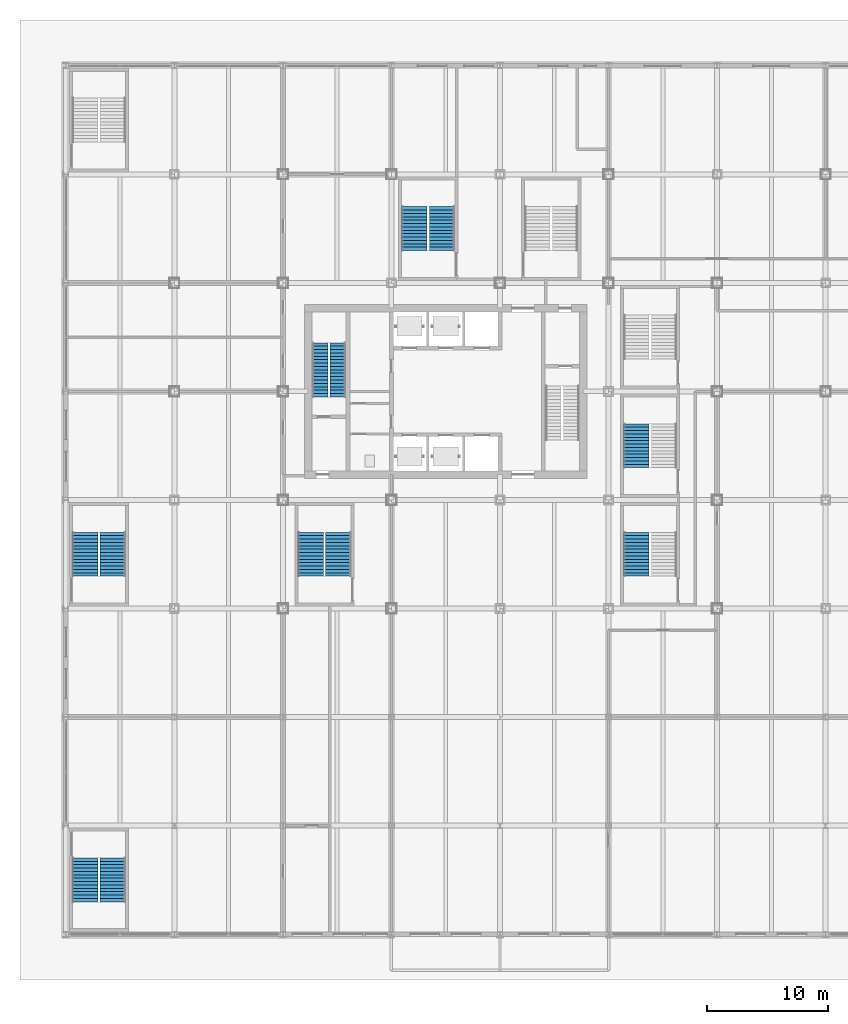
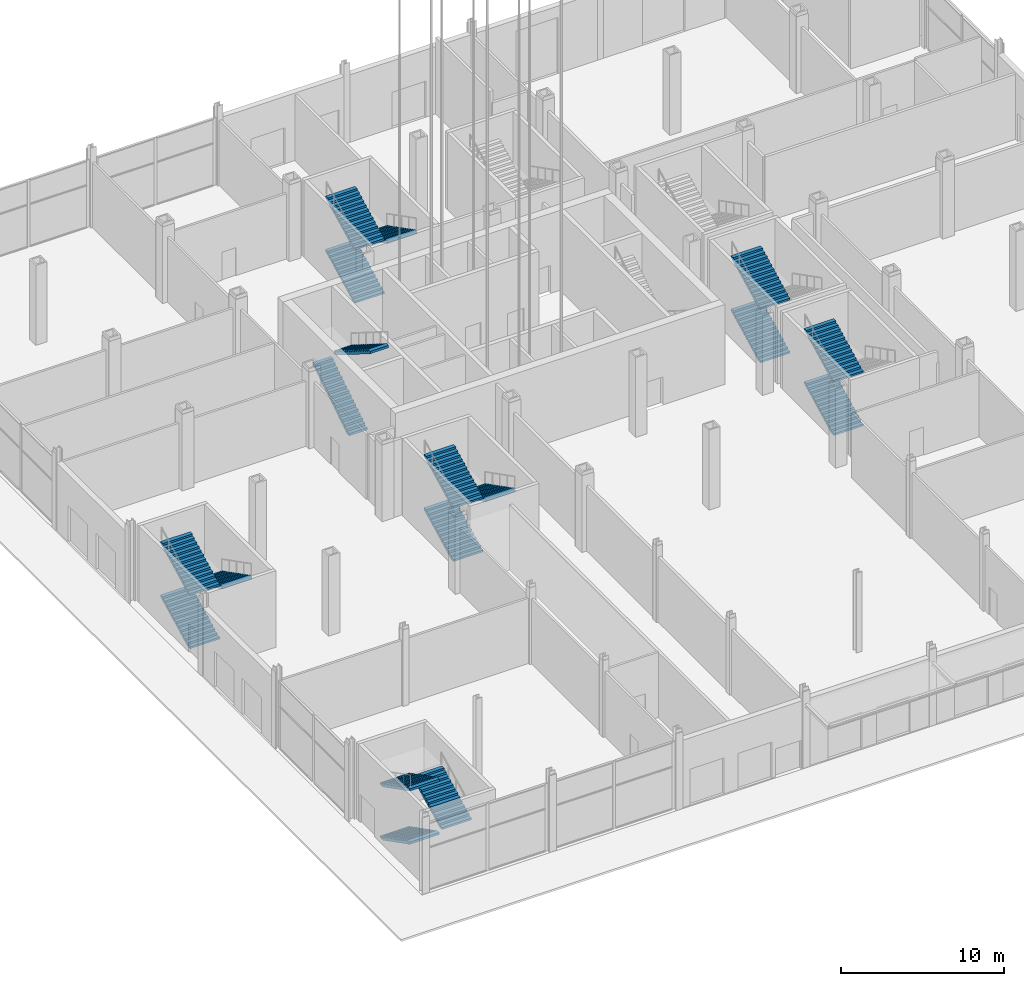
# One storey, part 23 of 34: 18 stair flights, 7 elements without a shape of their own.
"""IFC4 building model written with IfcOpenShell, lengths in metres."""

from ifc_helpers import new_model, si_unit, direction, frame, origin, place, context, subcontext, project, spatial, polyline, outline, extrude, material, type_object, element, aggregate, save


model = new_model("IFC4")

# Units and contexts
model_context = context("Model", 3, precision=1e-05, world=origin(), true_north=direction((0.0, 1.0)))
body_context = subcontext(model_context, "Body", "Model", "MODEL_VIEW")
ifc_project = project(units=[si_unit("LENGTHUNIT", "METRE"), si_unit("AREAUNIT", "SQUARE_METRE"), si_unit("VOLUMEUNIT", "CUBIC_METRE"), si_unit("PLANEANGLEUNIT", "RADIAN"), si_unit("MASSUNIT", "GRAM", prefix="KILO")], contexts=[model_context])

# Site, building, storey
site_placement = place(None, origin())
site = spatial("IfcSite", under=ifc_project, at=site_placement, CompositionType="ELEMENT")
building_placement = place(site_placement, origin())
building = spatial("IfcBuilding", under=site, at=building_placement, Name="Loomwork Tower", CompositionType="ELEMENT")
storey_placement = place(building_placement, origin())
storey = spatial("IfcBuildingStorey", under=building, at=storey_placement, Name="L00", CompositionType="ELEMENT", Elevation=0.0)

# Stair, stair flights
ifc_material_1 = material(Name="Concrete 5000 psi (34 MPa) precast stair", Category="concrete")
stair_type_1 = type_object("IfcStairType", Name="Stair ST-A 34 risers 2850 wide", PredefinedType="HALF_TURN_STAIR", material=ifc_material_1)
stair_1_placement = place(storey_placement, origin())
stair_1 = element("IfcStair", 1, at=stair_1_placement, inside=storey, type_object=stair_type_1, Name="Stair A L00", PredefinedType="HALF_TURN_STAIR")
ifc_material_2 = material(Name="Concrete 5000 psi (34 MPa) precast stair", Category="concrete")
stair_flight_type_1 = type_object("IfcStairFlightType", Name="Stair flight ST-A 17 risers 1300 wide", PredefinedType="STRAIGHT", material=ifc_material_2)
stair_flight_1_placement = place(storey_placement, frame((12.074951171875, 17.550048828125, 0.0), z_axis=(0.0, 0.0, 1.0), x_axis=(0.0, 1.0, 0.0)))
stair_flight_1 = element("IfcStairFlight", 2, at=stair_flight_1_placement, type_object=stair_flight_type_1, Name="ST-A flight 1", NumberOfRisers=17, NumberOfTreads=16, PredefinedType="STRAIGHT", RiserHeight=0.176470588, TreadLength=0.28, context=body_context, shape_type="SweptSolid", body=[
    extrude(outline(polyline([(0.0, 0.0), (0.0, 0.176513671875), (0.280029296875, 0.176513671875), (0.280029296875, 0.35302734375), (0.56005859375, 0.35302734375), (0.56005859375, 0.529296875), (0.840087890625, 0.529296875), (0.840087890625, 0.705810546875), (1.1201171875, 0.705810546875), (1.1201171875, 0.88232421875), (1.39990234375, 0.88232421875), (1.39990234375, 1.058837890625), (1.679931640625, 1.058837890625), (1.679931640625, 1.2353515625), (1.9599609375, 1.2353515625), (1.9599609375, 1.411865234375), (2.239990234375, 1.411865234375), (2.239990234375, 1.588134765625), (2.52001953125, 1.588134765625), (2.52001953125, 1.7646484375), (2.800048828125, 1.7646484375), (2.800048828125, 1.941162109375), (3.080078125, 1.941162109375), (3.080078125, 2.11767578125), (3.360107421875, 2.11767578125), (3.360107421875, 2.294189453125), (3.639892578125, 2.294189453125), (3.639892578125, 2.470703125), (3.919921875, 2.470703125), (3.919921875, 2.64697265625), (4.199951171875, 2.64697265625), (4.199951171875, 2.823486328125), (4.47998046875, 2.823486328125), (4.47998046875, 3.0), (4.47998046875, 2.646240234375), (0.28125, 0.0), (0.0, 0.0)])), frame((0.0, 0.64990234375, 0.0), z_axis=(0.0, -1.0, 0.0), x_axis=(1.0, 0.0, 0.0)), (0.0, 0.0, 1.0), 1.300048828125),
])
stair_flight_2_placement = place(storey_placement, frame((13.574951171875, 22.030029296875, 3.0), z_axis=(0.0, 0.0, 1.0), x_axis=(0.0, -1.0, 0.0)))
stair_flight_2 = element("IfcStairFlight", 3, at=stair_flight_2_placement, type_object=stair_flight_type_1, Name="ST-A flight 2", NumberOfRisers=17, NumberOfTreads=16, PredefinedType="STRAIGHT", RiserHeight=0.176470588, TreadLength=0.28, context=body_context, shape_type="SweptSolid", body=[
    extrude(outline(polyline([(0.0, 0.0), (0.0, 0.176513671875), (0.280029296875, 0.176513671875), (0.280029296875, 0.35302734375), (0.56005859375, 0.35302734375), (0.56005859375, 0.529296875), (0.840087890625, 0.529296875), (0.840087890625, 0.705810546875), (1.1201171875, 0.705810546875), (1.1201171875, 0.88232421875), (1.39990234375, 0.88232421875), (1.39990234375, 1.058837890625), (1.679931640625, 1.058837890625), (1.679931640625, 1.2353515625), (1.9599609375, 1.2353515625), (1.9599609375, 1.411865234375), (2.239990234375, 1.411865234375), (2.239990234375, 1.588134765625), (2.52001953125, 1.588134765625), (2.52001953125, 1.7646484375), (2.800048828125, 1.7646484375), (2.800048828125, 1.941162109375), (3.080078125, 1.941162109375), (3.080078125, 2.11767578125), (3.360107421875, 2.11767578125), (3.360107421875, 2.294189453125), (3.639892578125, 2.294189453125), (3.639892578125, 2.470703125), (3.919921875, 2.470703125), (3.919921875, 2.64697265625), (4.199951171875, 2.64697265625), (4.199951171875, 2.823486328125), (4.47998046875, 2.823486328125), (4.47998046875, 3.0), (4.47998046875, 2.646240234375), (0.28125, 0.0), (0.0, 0.0)])), frame((0.0, 0.64990234375, 0.0), z_axis=(0.0, -1.0, 0.0), x_axis=(1.0, 0.0, 0.0)), (0.0, 0.0, 1.0), 1.300048828125),
])
aggregate(stair_1, [stair_flight_1, stair_flight_2])

ifc_material_3 = material(Name="Concrete 5000 psi (34 MPa) precast stair", Category="concrete")
stair_type_2 = type_object("IfcStairType", Name="Stair ST-S10P 42 risers of 143 4400 wide", PredefinedType="HALF_TURN_STAIR", material=ifc_material_3)
stair_2_placement = place(storey_placement, origin())
stair_2 = element("IfcStair", 4, at=stair_2_placement, inside=storey, type_object=stair_type_2, Name="Podium stair PS10 L00", PredefinedType="HALF_TURN_STAIR")
ifc_material_4 = material(Name="Concrete 5000 psi (34 MPa) precast stair", Category="concrete")
stair_flight_type_2 = type_object("IfcStairFlightType", Name="Stair flight ST-S10P 14 risers of 143 2100 wide", PredefinedType="STRAIGHT", material=ifc_material_4)
stair_flight_3_placement = place(storey_placement, frame((19.89990234375, 29.679931640625, 0.0), z_axis=(0.0, 0.0, 1.0), x_axis=(0.0, 1.0, 0.0)))
stair_flight_3 = element("IfcStairFlight", 5, at=stair_flight_3_placement, type_object=stair_flight_type_2, Name="ST-S10P flight 1", NumberOfRisers=14, NumberOfTreads=13, PredefinedType="STRAIGHT", RiserHeight=0.142857143, TreadLength=0.28, context=body_context, shape_type="SweptSolid", body=[
    extrude(outline(polyline([(0.0, 0.0), (0.0, 0.142822265625), (0.280029296875, 0.142822265625), (0.280029296875, 0.28564453125), (0.56005859375, 0.28564453125), (0.56005859375, 0.428466796875), (0.840087890625, 0.428466796875), (0.840087890625, 0.571533203125), (1.1201171875, 0.571533203125), (1.1201171875, 0.71435546875), (1.39990234375, 0.71435546875), (1.39990234375, 0.857177734375), (1.679931640625, 0.857177734375), (1.679931640625, 1.0), (1.9599609375, 1.0), (1.9599609375, 1.142822265625), (2.239990234375, 1.142822265625), (2.239990234375, 1.28564453125), (2.52001953125, 1.28564453125), (2.52001953125, 1.428466796875), (2.800048828125, 1.428466796875), (2.800048828125, 1.571533203125), (3.080078125, 1.571533203125), (3.080078125, 1.71435546875), (3.360107421875, 1.71435546875), (3.360107421875, 1.857177734375), (3.639892578125, 1.857177734375), (3.639892578125, 2.0), (3.639892578125, 1.68896484375), (0.329833984375, 0.0), (0.0, 0.0)])), frame((0.0, 1.050048828125, 0.0), z_axis=(0.0, -1.0, 0.0), x_axis=(1.0, 0.0, 0.0)), (0.0, 0.0, 1.0), 2.10009765625),
])
stair_flight_4_placement = place(storey_placement, frame((22.199951171875, 33.320068359375, 2.0), z_axis=(0.0, 0.0, 1.0), x_axis=(0.0, -1.0, 0.0)))
stair_flight_4 = element("IfcStairFlight", 6, at=stair_flight_4_placement, type_object=stair_flight_type_2, Name="ST-S10P flight 2", NumberOfRisers=14, NumberOfTreads=13, PredefinedType="STRAIGHT", RiserHeight=0.142857143, TreadLength=0.28, context=body_context, shape_type="SweptSolid", body=[
    extrude(outline(polyline([(0.0, 0.0), (0.0, 0.142822265625), (0.280029296875, 0.142822265625), (0.280029296875, 0.28564453125), (0.56005859375, 0.28564453125), (0.56005859375, 0.428466796875), (0.840087890625, 0.428466796875), (0.840087890625, 0.571533203125), (1.1201171875, 0.571533203125), (1.1201171875, 0.71435546875), (1.39990234375, 0.71435546875), (1.39990234375, 0.857177734375), (1.679931640625, 0.857177734375), (1.679931640625, 1.0), (1.9599609375, 1.0), (1.9599609375, 1.142822265625), (2.239990234375, 1.142822265625), (2.239990234375, 1.28564453125), (2.52001953125, 1.28564453125), (2.52001953125, 1.428466796875), (2.800048828125, 1.428466796875), (2.800048828125, 1.571533203125), (3.080078125, 1.571533203125), (3.080078125, 1.71435546875), (3.360107421875, 1.71435546875), (3.360107421875, 1.857177734375), (3.639892578125, 1.857177734375), (3.639892578125, 2.0), (3.639892578125, 1.68896484375), (0.329833984375, 0.0), (0.0, 0.0)])), frame((0.0, 1.050048828125, 0.0), z_axis=(0.0, -1.0, 0.0), x_axis=(1.0, 0.0, 0.0)), (0.0, 0.0, 1.0), 2.10009765625),
])
stair_flight_5_placement = place(storey_placement, frame((19.89990234375, 29.679931640625, 4.0), z_axis=(0.0, 0.0, 1.0), x_axis=(0.0, 1.0, 0.0)))
stair_flight_5 = element("IfcStairFlight", 7, at=stair_flight_5_placement, type_object=stair_flight_type_2, Name="ST-S10P flight 3", NumberOfRisers=14, NumberOfTreads=13, PredefinedType="STRAIGHT", RiserHeight=0.142857143, TreadLength=0.28, context=body_context, shape_type="SweptSolid", body=[
    extrude(outline(polyline([(0.0, 0.0), (0.0, 0.142822265625), (0.280029296875, 0.142822265625), (0.280029296875, 0.28564453125), (0.56005859375, 0.28564453125), (0.56005859375, 0.428466796875), (0.840087890625, 0.428466796875), (0.840087890625, 0.571533203125), (1.1201171875, 0.571533203125), (1.1201171875, 0.71435546875), (1.39990234375, 0.71435546875), (1.39990234375, 0.857177734375), (1.679931640625, 0.857177734375), (1.679931640625, 1.0), (1.9599609375, 1.0), (1.9599609375, 1.142822265625), (2.239990234375, 1.142822265625), (2.239990234375, 1.28564453125), (2.52001953125, 1.28564453125), (2.52001953125, 1.428466796875), (2.800048828125, 1.428466796875), (2.800048828125, 1.571533203125), (3.080078125, 1.571533203125), (3.080078125, 1.71435546875), (3.360107421875, 1.71435546875), (3.360107421875, 1.857177734375), (3.639892578125, 1.857177734375), (3.639892578125, 2.0), (3.639892578125, 1.68896484375), (0.329833984375, 0.0), (0.0, 0.0)])), frame((0.0, 1.050048828125, 0.0), z_axis=(0.0, -1.0, 0.0), x_axis=(1.0, 0.0, 0.0)), (0.0, 0.0, 1.0), 2.10009765625),
])
aggregate(stair_2, [stair_flight_3, stair_flight_4, stair_flight_5])

ifc_material_5 = material(Name="Concrete 5000 psi (34 MPa) precast stair", Category="concrete")
stair_type_3 = type_object("IfcStairType", Name="Stair ST-S12P 42 risers of 143 4400 wide", PredefinedType="HALF_TURN_STAIR", material=ifc_material_5)
stair_3_placement = place(storey_placement, origin())
stair_3 = element("IfcStair", 8, at=stair_3_placement, inside=storey, type_object=stair_type_3, Name="Podium stair PS12 L00", PredefinedType="HALF_TURN_STAIR")
ifc_material_6 = material(Name="Concrete 5000 psi (34 MPa) precast stair", Category="concrete")
stair_flight_type_3 = type_object("IfcStairFlightType", Name="Stair flight ST-S12P 14 risers of 143 2100 wide", PredefinedType="STRAIGHT", material=ifc_material_6)
stair_flight_6_placement = place(storey_placement, frame((11.300048828125, 2.679931640625, 0.0), z_axis=(0.0, 0.0, 1.0), x_axis=(0.0, 1.0, 0.0)))
stair_flight_6 = element("IfcStairFlight", 9, at=stair_flight_6_placement, type_object=stair_flight_type_3, Name="ST-S12P flight 1", NumberOfRisers=14, NumberOfTreads=13, PredefinedType="STRAIGHT", RiserHeight=0.142857143, TreadLength=0.28, context=body_context, shape_type="SweptSolid", body=[
    extrude(outline(polyline([(0.0, 0.0), (0.0, 0.142822265625), (0.280029296875, 0.142822265625), (0.280029296875, 0.28564453125), (0.56005859375, 0.28564453125), (0.56005859375, 0.428466796875), (0.840087890625, 0.428466796875), (0.840087890625, 0.571533203125), (1.1201171875, 0.571533203125), (1.1201171875, 0.71435546875), (1.39990234375, 0.71435546875), (1.39990234375, 0.857177734375), (1.679931640625, 0.857177734375), (1.679931640625, 1.0), (1.9599609375, 1.0), (1.9599609375, 1.142822265625), (2.239990234375, 1.142822265625), (2.239990234375, 1.28564453125), (2.52001953125, 1.28564453125), (2.52001953125, 1.428466796875), (2.800048828125, 1.428466796875), (2.800048828125, 1.571533203125), (3.080078125, 1.571533203125), (3.080078125, 1.71435546875), (3.360107421875, 1.71435546875), (3.360107421875, 1.857177734375), (3.639892578125, 1.857177734375), (3.639892578125, 2.0), (3.639892578125, 1.68896484375), (0.329833984375, 0.0), (0.0, 0.0)])), frame((0.0, 1.050048828125, 0.0), z_axis=(0.0, -1.0, 0.0), x_axis=(1.0, 0.0, 0.0)), (0.0, 0.0, 1.0), 2.10009765625),
])
stair_flight_7_placement = place(storey_placement, frame((13.60009765625, 6.320068359375, 2.0), z_axis=(0.0, 0.0, 1.0), x_axis=(0.0, -1.0, 0.0)))
stair_flight_7 = element("IfcStairFlight", 10, at=stair_flight_7_placement, type_object=stair_flight_type_3, Name="ST-S12P flight 2", NumberOfRisers=14, NumberOfTreads=13, PredefinedType="STRAIGHT", RiserHeight=0.142857143, TreadLength=0.28, context=body_context, shape_type="SweptSolid", body=[
    extrude(outline(polyline([(0.0, 0.0), (0.0, 0.142822265625), (0.280029296875, 0.142822265625), (0.280029296875, 0.28564453125), (0.56005859375, 0.28564453125), (0.56005859375, 0.428466796875), (0.840087890625, 0.428466796875), (0.840087890625, 0.571533203125), (1.1201171875, 0.571533203125), (1.1201171875, 0.71435546875), (1.39990234375, 0.71435546875), (1.39990234375, 0.857177734375), (1.679931640625, 0.857177734375), (1.679931640625, 1.0), (1.9599609375, 1.0), (1.9599609375, 1.142822265625), (2.239990234375, 1.142822265625), (2.239990234375, 1.28564453125), (2.52001953125, 1.28564453125), (2.52001953125, 1.428466796875), (2.800048828125, 1.428466796875), (2.800048828125, 1.571533203125), (3.080078125, 1.571533203125), (3.080078125, 1.71435546875), (3.360107421875, 1.71435546875), (3.360107421875, 1.857177734375), (3.639892578125, 1.857177734375), (3.639892578125, 2.0), (3.639892578125, 1.68896484375), (0.329833984375, 0.0), (0.0, 0.0)])), frame((0.0, 1.050048828125, 0.0), z_axis=(0.0, -1.0, 0.0), x_axis=(1.0, 0.0, 0.0)), (0.0, 0.0, 1.0), 2.10009765625),
])
stair_flight_8_placement = place(storey_placement, frame((11.300048828125, 2.679931640625, 4.0), z_axis=(0.0, 0.0, 1.0), x_axis=(0.0, 1.0, 0.0)))
stair_flight_8 = element("IfcStairFlight", 11, at=stair_flight_8_placement, type_object=stair_flight_type_3, Name="ST-S12P flight 3", NumberOfRisers=14, NumberOfTreads=13, PredefinedType="STRAIGHT", RiserHeight=0.142857143, TreadLength=0.28, context=body_context, shape_type="SweptSolid", body=[
    extrude(outline(polyline([(0.0, 0.0), (0.0, 0.142822265625), (0.280029296875, 0.142822265625), (0.280029296875, 0.28564453125), (0.56005859375, 0.28564453125), (0.56005859375, 0.428466796875), (0.840087890625, 0.428466796875), (0.840087890625, 0.571533203125), (1.1201171875, 0.571533203125), (1.1201171875, 0.71435546875), (1.39990234375, 0.71435546875), (1.39990234375, 0.857177734375), (1.679931640625, 0.857177734375), (1.679931640625, 1.0), (1.9599609375, 1.0), (1.9599609375, 1.142822265625), (2.239990234375, 1.142822265625), (2.239990234375, 1.28564453125), (2.52001953125, 1.28564453125), (2.52001953125, 1.428466796875), (2.800048828125, 1.428466796875), (2.800048828125, 1.571533203125), (3.080078125, 1.571533203125), (3.080078125, 1.71435546875), (3.360107421875, 1.71435546875), (3.360107421875, 1.857177734375), (3.639892578125, 1.857177734375), (3.639892578125, 2.0), (3.639892578125, 1.68896484375), (0.329833984375, 0.0), (0.0, 0.0)])), frame((0.0, 1.050048828125, 0.0), z_axis=(0.0, -1.0, 0.0), x_axis=(1.0, 0.0, 0.0)), (0.0, 0.0, 1.0), 2.10009765625),
])
aggregate(stair_3, [stair_flight_6, stair_flight_7, stair_flight_8])

ifc_material_7 = material(Name="Concrete 5000 psi (34 MPa) precast stair", Category="concrete")
stair_type_4 = type_object("IfcStairType", Name="Stair ST-S1P 42 risers of 143 4400 wide", PredefinedType="HALF_TURN_STAIR", material=ifc_material_7)
stair_4_placement = place(storey_placement, origin())
stair_4 = element("IfcStair", 12, at=stair_4_placement, inside=storey, type_object=stair_type_4, Name="Podium stair PS1 L00", PredefinedType="HALF_TURN_STAIR")
ifc_material_8 = material(Name="Concrete 5000 psi (34 MPa) precast stair", Category="concrete")
stair_flight_type_4 = type_object("IfcStairFlightType", Name="Stair flight ST-S1P 14 risers of 143 2100 wide", PredefinedType="STRAIGHT", material=ifc_material_8)
stair_flight_9_placement = place(storey_placement, frame((-7.39990234375, -20.679931640625, 0.0), z_axis=(0.0, 0.0, 1.0), x_axis=(0.0, -1.0, 0.0)))
stair_flight_9 = element("IfcStairFlight", 13, at=stair_flight_9_placement, type_object=stair_flight_type_4, Name="ST-S1P flight 1", NumberOfRisers=14, NumberOfTreads=13, PredefinedType="STRAIGHT", RiserHeight=0.142857143, TreadLength=0.28, context=body_context, shape_type="SweptSolid", body=[
    extrude(outline(polyline([(0.0, 0.0), (0.0, 0.142822265625), (0.280029296875, 0.142822265625), (0.280029296875, 0.28564453125), (0.56005859375, 0.28564453125), (0.56005859375, 0.428466796875), (0.840087890625, 0.428466796875), (0.840087890625, 0.571533203125), (1.1201171875, 0.571533203125), (1.1201171875, 0.71435546875), (1.39990234375, 0.71435546875), (1.39990234375, 0.857177734375), (1.679931640625, 0.857177734375), (1.679931640625, 1.0), (1.9599609375, 1.0), (1.9599609375, 1.142822265625), (2.239990234375, 1.142822265625), (2.239990234375, 1.28564453125), (2.52001953125, 1.28564453125), (2.52001953125, 1.428466796875), (2.800048828125, 1.428466796875), (2.800048828125, 1.571533203125), (3.080078125, 1.571533203125), (3.080078125, 1.71435546875), (3.360107421875, 1.71435546875), (3.360107421875, 1.857177734375), (3.639892578125, 1.857177734375), (3.639892578125, 2.0), (3.639892578125, 1.68896484375), (0.329833984375, 0.0), (0.0, 0.0)])), frame((0.0, 1.050048828125, 0.0), z_axis=(0.0, -1.0, 0.0), x_axis=(1.0, 0.0, 0.0)), (0.0, 0.0, 1.0), 2.10009765625),
])
stair_flight_10_placement = place(storey_placement, frame((-5.10009765625, -24.320068359375, 2.0), z_axis=(0.0, 0.0, 1.0), x_axis=(0.0, 1.0, 0.0)))
stair_flight_10 = element("IfcStairFlight", 14, at=stair_flight_10_placement, type_object=stair_flight_type_4, Name="ST-S1P flight 2", NumberOfRisers=14, NumberOfTreads=13, PredefinedType="STRAIGHT", RiserHeight=0.142857143, TreadLength=0.28, context=body_context, shape_type="SweptSolid", body=[
    extrude(outline(polyline([(0.0, 0.0), (0.0, 0.142822265625), (0.280029296875, 0.142822265625), (0.280029296875, 0.28564453125), (0.56005859375, 0.28564453125), (0.56005859375, 0.428466796875), (0.840087890625, 0.428466796875), (0.840087890625, 0.571533203125), (1.1201171875, 0.571533203125), (1.1201171875, 0.71435546875), (1.39990234375, 0.71435546875), (1.39990234375, 0.857177734375), (1.679931640625, 0.857177734375), (1.679931640625, 1.0), (1.9599609375, 1.0), (1.9599609375, 1.142822265625), (2.239990234375, 1.142822265625), (2.239990234375, 1.28564453125), (2.52001953125, 1.28564453125), (2.52001953125, 1.428466796875), (2.800048828125, 1.428466796875), (2.800048828125, 1.571533203125), (3.080078125, 1.571533203125), (3.080078125, 1.71435546875), (3.360107421875, 1.71435546875), (3.360107421875, 1.857177734375), (3.639892578125, 1.857177734375), (3.639892578125, 2.0), (3.639892578125, 1.68896484375), (0.329833984375, 0.0), (0.0, 0.0)])), frame((0.0, 1.050048828125, 0.0), z_axis=(0.0, -1.0, 0.0), x_axis=(1.0, 0.0, 0.0)), (0.0, 0.0, 1.0), 2.10009765625),
])
stair_flight_11_placement = place(storey_placement, frame((-7.39990234375, -20.679931640625, 4.0), z_axis=(0.0, 0.0, 1.0), x_axis=(0.0, -1.0, 0.0)))
stair_flight_11 = element("IfcStairFlight", 15, at=stair_flight_11_placement, type_object=stair_flight_type_4, Name="ST-S1P flight 3", NumberOfRisers=14, NumberOfTreads=13, PredefinedType="STRAIGHT", RiserHeight=0.142857143, TreadLength=0.28, context=body_context, shape_type="SweptSolid", body=[
    extrude(outline(polyline([(0.0, 0.0), (0.0, 0.142822265625), (0.280029296875, 0.142822265625), (0.280029296875, 0.28564453125), (0.56005859375, 0.28564453125), (0.56005859375, 0.428466796875), (0.840087890625, 0.428466796875), (0.840087890625, 0.571533203125), (1.1201171875, 0.571533203125), (1.1201171875, 0.71435546875), (1.39990234375, 0.71435546875), (1.39990234375, 0.857177734375), (1.679931640625, 0.857177734375), (1.679931640625, 1.0), (1.9599609375, 1.0), (1.9599609375, 1.142822265625), (2.239990234375, 1.142822265625), (2.239990234375, 1.28564453125), (2.52001953125, 1.28564453125), (2.52001953125, 1.428466796875), (2.800048828125, 1.428466796875), (2.800048828125, 1.571533203125), (3.080078125, 1.571533203125), (3.080078125, 1.71435546875), (3.360107421875, 1.71435546875), (3.360107421875, 1.857177734375), (3.639892578125, 1.857177734375), (3.639892578125, 2.0), (3.639892578125, 1.68896484375), (0.329833984375, 0.0), (0.0, 0.0)])), frame((0.0, 1.050048828125, 0.0), z_axis=(0.0, -1.0, 0.0), x_axis=(1.0, 0.0, 0.0)), (0.0, 0.0, 1.0), 2.10009765625),
])
aggregate(stair_4, [stair_flight_9, stair_flight_10, stair_flight_11])

ifc_material_9 = material(Name="Concrete 5000 psi (34 MPa) precast stair", Category="concrete")
stair_type_5 = type_object("IfcStairType", Name="Stair ST-S5P 42 risers of 143 4400 wide", PredefinedType="HALF_TURN_STAIR", material=ifc_material_9)
stair_5_placement = place(storey_placement, origin())
stair_5 = element("IfcStair", 16, at=stair_5_placement, inside=storey, type_object=stair_type_5, Name="Podium stair PS5 L00", PredefinedType="HALF_TURN_STAIR")
ifc_material_10 = material(Name="Concrete 5000 psi (34 MPa) precast stair", Category="concrete")
stair_flight_type_5 = type_object("IfcStairFlightType", Name="Stair flight ST-S5P 14 risers of 143 2100 wide", PredefinedType="STRAIGHT", material=ifc_material_10)
stair_flight_12_placement = place(storey_placement, frame((-7.39990234375, 2.679931640625, 0.0), z_axis=(0.0, 0.0, 1.0), x_axis=(0.0, 1.0, 0.0)))
stair_flight_12 = element("IfcStairFlight", 17, at=stair_flight_12_placement, type_object=stair_flight_type_5, Name="ST-S5P flight 1", NumberOfRisers=14, NumberOfTreads=13, PredefinedType="STRAIGHT", RiserHeight=0.142857143, TreadLength=0.28, context=body_context, shape_type="SweptSolid", body=[
    extrude(outline(polyline([(0.0, 0.0), (0.0, 0.142822265625), (0.280029296875, 0.142822265625), (0.280029296875, 0.28564453125), (0.56005859375, 0.28564453125), (0.56005859375, 0.428466796875), (0.840087890625, 0.428466796875), (0.840087890625, 0.571533203125), (1.1201171875, 0.571533203125), (1.1201171875, 0.71435546875), (1.39990234375, 0.71435546875), (1.39990234375, 0.857177734375), (1.679931640625, 0.857177734375), (1.679931640625, 1.0), (1.9599609375, 1.0), (1.9599609375, 1.142822265625), (2.239990234375, 1.142822265625), (2.239990234375, 1.28564453125), (2.52001953125, 1.28564453125), (2.52001953125, 1.428466796875), (2.800048828125, 1.428466796875), (2.800048828125, 1.571533203125), (3.080078125, 1.571533203125), (3.080078125, 1.71435546875), (3.360107421875, 1.71435546875), (3.360107421875, 1.857177734375), (3.639892578125, 1.857177734375), (3.639892578125, 2.0), (3.639892578125, 1.68896484375), (0.329833984375, 0.0), (0.0, 0.0)])), frame((0.0, 1.050048828125, 0.0), z_axis=(0.0, -1.0, 0.0), x_axis=(1.0, 0.0, 0.0)), (0.0, 0.0, 1.0), 2.10009765625),
])
stair_flight_13_placement = place(storey_placement, frame((-5.10009765625, 6.320068359375, 2.0), z_axis=(0.0, 0.0, 1.0), x_axis=(0.0, -1.0, 0.0)))
stair_flight_13 = element("IfcStairFlight", 18, at=stair_flight_13_placement, type_object=stair_flight_type_5, Name="ST-S5P flight 2", NumberOfRisers=14, NumberOfTreads=13, PredefinedType="STRAIGHT", RiserHeight=0.142857143, TreadLength=0.28, context=body_context, shape_type="SweptSolid", body=[
    extrude(outline(polyline([(0.0, 0.0), (0.0, 0.142822265625), (0.280029296875, 0.142822265625), (0.280029296875, 0.28564453125), (0.56005859375, 0.28564453125), (0.56005859375, 0.428466796875), (0.840087890625, 0.428466796875), (0.840087890625, 0.571533203125), (1.1201171875, 0.571533203125), (1.1201171875, 0.71435546875), (1.39990234375, 0.71435546875), (1.39990234375, 0.857177734375), (1.679931640625, 0.857177734375), (1.679931640625, 1.0), (1.9599609375, 1.0), (1.9599609375, 1.142822265625), (2.239990234375, 1.142822265625), (2.239990234375, 1.28564453125), (2.52001953125, 1.28564453125), (2.52001953125, 1.428466796875), (2.800048828125, 1.428466796875), (2.800048828125, 1.571533203125), (3.080078125, 1.571533203125), (3.080078125, 1.71435546875), (3.360107421875, 1.71435546875), (3.360107421875, 1.857177734375), (3.639892578125, 1.857177734375), (3.639892578125, 2.0), (3.639892578125, 1.68896484375), (0.329833984375, 0.0), (0.0, 0.0)])), frame((0.0, 1.050048828125, 0.0), z_axis=(0.0, -1.0, 0.0), x_axis=(1.0, 0.0, 0.0)), (0.0, 0.0, 1.0), 2.10009765625),
])
stair_flight_14_placement = place(storey_placement, frame((-7.39990234375, 2.679931640625, 4.0), z_axis=(0.0, 0.0, 1.0), x_axis=(0.0, 1.0, 0.0)))
stair_flight_14 = element("IfcStairFlight", 19, at=stair_flight_14_placement, type_object=stair_flight_type_5, Name="ST-S5P flight 3", NumberOfRisers=14, NumberOfTreads=13, PredefinedType="STRAIGHT", RiserHeight=0.142857143, TreadLength=0.28, context=body_context, shape_type="SweptSolid", body=[
    extrude(outline(polyline([(0.0, 0.0), (0.0, 0.142822265625), (0.280029296875, 0.142822265625), (0.280029296875, 0.28564453125), (0.56005859375, 0.28564453125), (0.56005859375, 0.428466796875), (0.840087890625, 0.428466796875), (0.840087890625, 0.571533203125), (1.1201171875, 0.571533203125), (1.1201171875, 0.71435546875), (1.39990234375, 0.71435546875), (1.39990234375, 0.857177734375), (1.679931640625, 0.857177734375), (1.679931640625, 1.0), (1.9599609375, 1.0), (1.9599609375, 1.142822265625), (2.239990234375, 1.142822265625), (2.239990234375, 1.28564453125), (2.52001953125, 1.28564453125), (2.52001953125, 1.428466796875), (2.800048828125, 1.428466796875), (2.800048828125, 1.571533203125), (3.080078125, 1.571533203125), (3.080078125, 1.71435546875), (3.360107421875, 1.71435546875), (3.360107421875, 1.857177734375), (3.639892578125, 1.857177734375), (3.639892578125, 2.0), (3.639892578125, 1.68896484375), (0.329833984375, 0.0), (0.0, 0.0)])), frame((0.0, 1.050048828125, 0.0), z_axis=(0.0, -1.0, 0.0), x_axis=(1.0, 0.0, 0.0)), (0.0, 0.0, 1.0), 2.10009765625),
])
aggregate(stair_5, [stair_flight_12, stair_flight_13, stair_flight_14])

ifc_material_11 = material(Name="Concrete 5000 psi (34 MPa) precast stair", Category="concrete")
stair_type_6 = type_object("IfcStairType", Name="Stair ST-S7P 42 risers of 143 4400 wide", PredefinedType="HALF_TURN_STAIR", material=ifc_material_11)
stair_6_placement = place(storey_placement, origin())
stair_6 = element("IfcStair", 20, at=stair_6_placement, inside=storey, type_object=stair_type_6, Name="Podium stair PS7 L00", PredefinedType="HALF_TURN_STAIR")
ifc_material_12 = material(Name="Concrete 5000 psi (34 MPa) precast stair", Category="concrete")
stair_flight_type_6 = type_object("IfcStairFlightType", Name="Stair flight ST-S7P 14 risers of 143 2100 wide", PredefinedType="STRAIGHT", material=ifc_material_12)
stair_flight_15_placement = place(storey_placement, frame((38.300048828125, 2.679931640625, 0.0), z_axis=(0.0, 0.0, 1.0), x_axis=(0.0, 1.0, 0.0)))
stair_flight_15 = element("IfcStairFlight", 21, at=stair_flight_15_placement, type_object=stair_flight_type_6, Name="ST-S7P flight 1", NumberOfRisers=14, NumberOfTreads=13, PredefinedType="STRAIGHT", RiserHeight=0.142857143, TreadLength=0.28, context=body_context, shape_type="SweptSolid", body=[
    extrude(outline(polyline([(0.0, 0.0), (0.0, 0.142822265625), (0.280029296875, 0.142822265625), (0.280029296875, 0.28564453125), (0.56005859375, 0.28564453125), (0.56005859375, 0.428466796875), (0.840087890625, 0.428466796875), (0.840087890625, 0.571533203125), (1.1201171875, 0.571533203125), (1.1201171875, 0.71435546875), (1.39990234375, 0.71435546875), (1.39990234375, 0.857177734375), (1.679931640625, 0.857177734375), (1.679931640625, 1.0), (1.9599609375, 1.0), (1.9599609375, 1.142822265625), (2.239990234375, 1.142822265625), (2.239990234375, 1.28564453125), (2.52001953125, 1.28564453125), (2.52001953125, 1.428466796875), (2.800048828125, 1.428466796875), (2.800048828125, 1.571533203125), (3.080078125, 1.571533203125), (3.080078125, 1.71435546875), (3.360107421875, 1.71435546875), (3.360107421875, 1.857177734375), (3.639892578125, 1.857177734375), (3.639892578125, 2.0), (3.639892578125, 1.68896484375), (0.329833984375, 0.0), (0.0, 0.0)])), frame((0.0, 1.050048828125, 0.0), z_axis=(0.0, -1.0, 0.0), x_axis=(1.0, 0.0, 0.0)), (0.0, 0.0, 1.0), 2.10009765625),
])
stair_flight_16_placement = place(storey_placement, frame((38.300048828125, 2.679931640625, 4.0), z_axis=(0.0, 0.0, 1.0), x_axis=(0.0, 1.0, 0.0)))
stair_flight_16 = element("IfcStairFlight", 22, at=stair_flight_16_placement, type_object=stair_flight_type_6, Name="ST-S7P flight 3", NumberOfRisers=14, NumberOfTreads=13, PredefinedType="STRAIGHT", RiserHeight=0.142857143, TreadLength=0.28, context=body_context, shape_type="SweptSolid", body=[
    extrude(outline(polyline([(0.0, 0.0), (0.0, 0.142822265625), (0.280029296875, 0.142822265625), (0.280029296875, 0.28564453125), (0.56005859375, 0.28564453125), (0.56005859375, 0.428466796875), (0.840087890625, 0.428466796875), (0.840087890625, 0.571533203125), (1.1201171875, 0.571533203125), (1.1201171875, 0.71435546875), (1.39990234375, 0.71435546875), (1.39990234375, 0.857177734375), (1.679931640625, 0.857177734375), (1.679931640625, 1.0), (1.9599609375, 1.0), (1.9599609375, 1.142822265625), (2.239990234375, 1.142822265625), (2.239990234375, 1.28564453125), (2.52001953125, 1.28564453125), (2.52001953125, 1.428466796875), (2.800048828125, 1.428466796875), (2.800048828125, 1.571533203125), (3.080078125, 1.571533203125), (3.080078125, 1.71435546875), (3.360107421875, 1.71435546875), (3.360107421875, 1.857177734375), (3.639892578125, 1.857177734375), (3.639892578125, 2.0), (3.639892578125, 1.68896484375), (0.329833984375, 0.0), (0.0, 0.0)])), frame((0.0, 1.050048828125, 0.0), z_axis=(0.0, -1.0, 0.0), x_axis=(1.0, 0.0, 0.0)), (0.0, 0.0, 1.0), 2.10009765625),
])
aggregate(stair_6, [stair_flight_15, stair_flight_16])

ifc_material_13 = material(Name="Concrete 5000 psi (34 MPa) precast stair", Category="concrete")
stair_type_7 = type_object("IfcStairType", Name="Stair ST-S8P 42 risers of 143 4400 wide", PredefinedType="HALF_TURN_STAIR", material=ifc_material_13)
stair_7_placement = place(storey_placement, origin())
stair_7 = element("IfcStair", 23, at=stair_7_placement, inside=storey, type_object=stair_type_7, Name="Podium stair PS8 L00", PredefinedType="HALF_TURN_STAIR")
ifc_material_14 = material(Name="Concrete 5000 psi (34 MPa) precast stair", Category="concrete")
stair_flight_type_7 = type_object("IfcStairFlightType", Name="Stair flight ST-S8P 14 risers of 143 2100 wide", PredefinedType="STRAIGHT", material=ifc_material_14)
stair_flight_17_placement = place(storey_placement, frame((38.300048828125, 11.679931640625, 0.0), z_axis=(0.0, 0.0, 1.0), x_axis=(0.0, 1.0, 0.0)))
stair_flight_17 = element("IfcStairFlight", 24, at=stair_flight_17_placement, type_object=stair_flight_type_7, Name="ST-S8P flight 1", NumberOfRisers=14, NumberOfTreads=13, PredefinedType="STRAIGHT", RiserHeight=0.142857143, TreadLength=0.28, context=body_context, shape_type="SweptSolid", body=[
    extrude(outline(polyline([(0.0, 0.0), (0.0, 0.142822265625), (0.280029296875, 0.142822265625), (0.280029296875, 0.28564453125), (0.56005859375, 0.28564453125), (0.56005859375, 0.428466796875), (0.840087890625, 0.428466796875), (0.840087890625, 0.571533203125), (1.1201171875, 0.571533203125), (1.1201171875, 0.71435546875), (1.39990234375, 0.71435546875), (1.39990234375, 0.857177734375), (1.679931640625, 0.857177734375), (1.679931640625, 1.0), (1.9599609375, 1.0), (1.9599609375, 1.142822265625), (2.239990234375, 1.142822265625), (2.239990234375, 1.28564453125), (2.52001953125, 1.28564453125), (2.52001953125, 1.428466796875), (2.800048828125, 1.428466796875), (2.800048828125, 1.571533203125), (3.080078125, 1.571533203125), (3.080078125, 1.71435546875), (3.360107421875, 1.71435546875), (3.360107421875, 1.857177734375), (3.639892578125, 1.857177734375), (3.639892578125, 2.0), (3.639892578125, 1.68896484375), (0.329833984375, 0.0), (0.0, 0.0)])), frame((0.0, 1.050048828125, 0.0), z_axis=(0.0, -1.0, 0.0), x_axis=(1.0, 0.0, 0.0)), (0.0, 0.0, 1.0), 2.10009765625),
])
stair_flight_18_placement = place(storey_placement, frame((38.300048828125, 11.679931640625, 4.0), z_axis=(0.0, 0.0, 1.0), x_axis=(0.0, 1.0, 0.0)))
stair_flight_18 = element("IfcStairFlight", 25, at=stair_flight_18_placement, type_object=stair_flight_type_7, Name="ST-S8P flight 3", NumberOfRisers=14, NumberOfTreads=13, PredefinedType="STRAIGHT", RiserHeight=0.142857143, TreadLength=0.28, context=body_context, shape_type="SweptSolid", body=[
    extrude(outline(polyline([(0.0, 0.0), (0.0, 0.142822265625), (0.280029296875, 0.142822265625), (0.280029296875, 0.28564453125), (0.56005859375, 0.28564453125), (0.56005859375, 0.428466796875), (0.840087890625, 0.428466796875), (0.840087890625, 0.571533203125), (1.1201171875, 0.571533203125), (1.1201171875, 0.71435546875), (1.39990234375, 0.71435546875), (1.39990234375, 0.857177734375), (1.679931640625, 0.857177734375), (1.679931640625, 1.0), (1.9599609375, 1.0), (1.9599609375, 1.142822265625), (2.239990234375, 1.142822265625), (2.239990234375, 1.28564453125), (2.52001953125, 1.28564453125), (2.52001953125, 1.428466796875), (2.800048828125, 1.428466796875), (2.800048828125, 1.571533203125), (3.080078125, 1.571533203125), (3.080078125, 1.71435546875), (3.360107421875, 1.71435546875), (3.360107421875, 1.857177734375), (3.639892578125, 1.857177734375), (3.639892578125, 2.0), (3.639892578125, 1.68896484375), (0.329833984375, 0.0), (0.0, 0.0)])), frame((0.0, 1.050048828125, 0.0), z_axis=(0.0, -1.0, 0.0), x_axis=(1.0, 0.0, 0.0)), (0.0, 0.0, 1.0), 2.10009765625),
])
aggregate(stair_7, [stair_flight_17, stair_flight_18])

save(model, "model.ifc")
